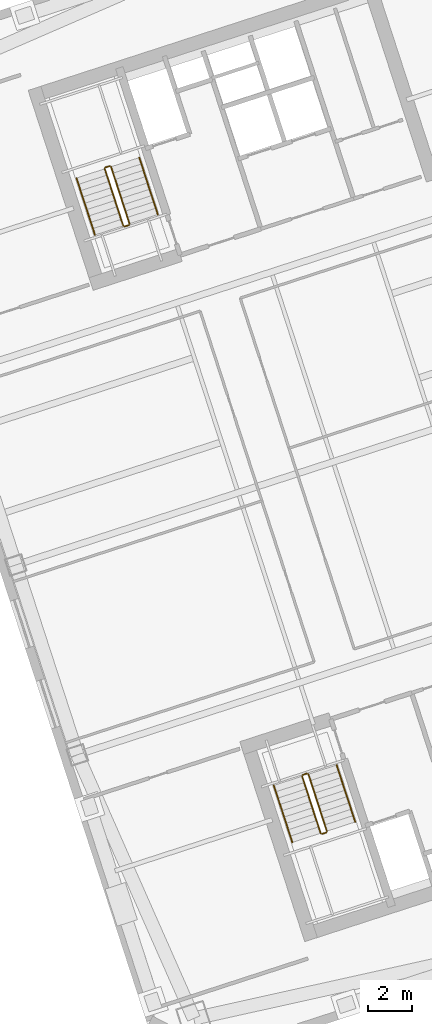
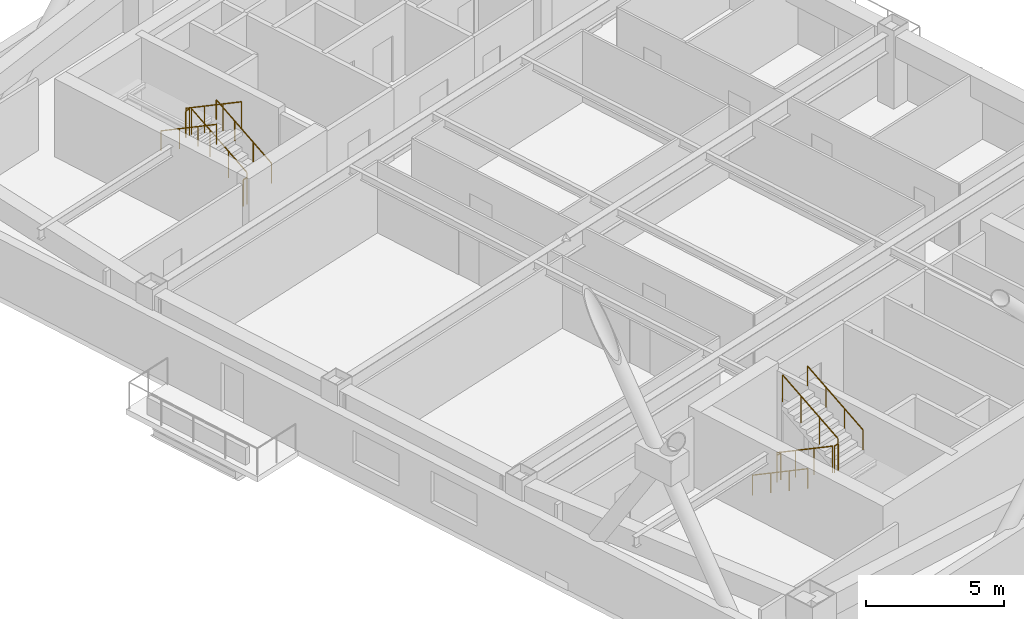
# One storey, part 16 of 17: 12 railings.
"""IFC4 building model written with IfcOpenShell, lengths in metres."""

from ifc_helpers import new_model, si_unit, direction, frame, origin, origin_2d, place, context, subcontext, project, spatial, circle, extrude, material, type_object, element, save


model = new_model("IFC4")

# Units and contexts
model_context = context("Model", 3, precision=1e-05, world=origin(), true_north=direction((0.0, 1.0)))
body_context = subcontext(model_context, "Body", "Model", "MODEL_VIEW")
ifc_project = project(units=[si_unit("LENGTHUNIT", "METRE"), si_unit("AREAUNIT", "SQUARE_METRE"), si_unit("VOLUMEUNIT", "CUBIC_METRE"), si_unit("PLANEANGLEUNIT", "RADIAN"), si_unit("MASSUNIT", "GRAM", prefix="KILO")], contexts=[model_context])

# Site, building, storey
site_placement = place(None, origin())
site = spatial("IfcSite", under=ifc_project, at=site_placement, CompositionType="ELEMENT")
building_placement = place(site_placement, origin())
building = spatial("IfcBuilding", under=site, at=building_placement, Name="Qiaolan Cultural Towers", CompositionType="ELEMENT")
storey_placement = place(building_placement, frame((0.0, 0.0, 134.550048828125)))
storey = spatial("IfcBuildingStorey", under=building, at=storey_placement, Name="L35", CompositionType="ELEMENT", Elevation=134.550048828125)

# Railings
ifc_material_1 = material(Name="Galvanized Painted Steel Stair Guardrail", Category="steel")
railing_type_1 = type_object("IfcRailingType", Name="RL-STAIR-GRD", PredefinedType="GUARDRAIL", material=ifc_material_1)
railing_1_placement = place(storey_placement, frame((88.60205078125, 19.82421875, 0.17236328125)))
element("IfcRailing", 1, at=railing_1_placement, inside=storey, type_object=railing_type_1, Name="L35 ST-E1 stair guard 1", PredefinedType="GUARDRAIL", context=body_context, shape_type="SweptSolid", body=[
    extrude(circle(Radius=0.02392578125, at=origin_2d()), frame((0.0, 0.0, 1.17578125), z_axis=(0.267925668498, -0.824471088726, 0.498460891159), x_axis=(0.951043371037, 0.309057448393, 0.0)), (0.0, 0.0, 1.0), 3.114501953125),
    extrude(circle(Radius=0.02099609375, at=origin_2d()), origin(), (0.0, 0.0, 1.0), 1.15185546875),
    extrude(circle(Radius=0.02099609375, at=origin_2d()), frame((0.278076171875, -0.85595703125, 0.517578125)), (0.0, 0.0, 1.0), 1.15185546875),
    extrude(circle(Radius=0.02099609375, at=origin_2d()), frame((0.556396484375, -1.7119140625, 1.034912109375)), (0.0, 0.0, 1.0), 1.15185546875),
    extrude(circle(Radius=0.02099609375, at=origin_2d()), frame((0.83447265625, -2.56787109375, 1.552490234375)), (0.0, 0.0, 1.0), 1.15185546875),
])
railing_2_placement = place(storey_placement, frame((89.49951171875, 17.224365234375, 1.724853515625)))
element("IfcRailing", 2, at=railing_2_placement, inside=storey, type_object=railing_type_1, Name="L35 ST-E1 stair guard 2", PredefinedType="GUARDRAIL", context=body_context, shape_type="SweptSolid", body=[
    extrude(circle(Radius=0.02392578125, at=origin_2d()), frame((0.0, 0.0, 1.17578125), z_axis=(0.951096855055, 0.308892816854, 0.0), x_axis=(-0.308892816854, 0.951096855055, 0.0)), (0.0, 0.0, 1.0), 0.199951171875),
    extrude(circle(Radius=0.02099609375, at=origin_2d()), origin(), (0.0, 0.0, 1.0), 1.15185546875),
    extrude(circle(Radius=0.02099609375, at=origin_2d()), frame((0.190185546875, 0.061767578125, 0.0)), (0.0, 0.0, 1.0), 1.15185546875),
])
railing_3_placement = place(storey_placement, frame((89.721923828125, 17.34912109375, 1.8974609375)))
element("IfcRailing", 3, at=railing_3_placement, inside=storey, type_object=railing_type_1, Name="L35 ST-E1 stair guard 3", PredefinedType="GUARDRAIL", context=body_context, shape_type="SweptSolid", body=[
    extrude(circle(Radius=0.02392578125, at=origin_2d()), frame((0.0, 0.0, 1.17578125), z_axis=(-0.267925668498, 0.824471088726, 0.498460891159), x_axis=(-0.951043371037, -0.309057448393, 0.0)), (0.0, 0.0, 1.0), 3.114501953125),
    extrude(circle(Radius=0.02099609375, at=origin_2d()), origin(), (0.0, 0.0, 1.0), 1.15185546875),
    extrude(circle(Radius=0.02099609375, at=origin_2d()), frame((-0.278076171875, 0.85595703125, 0.517578125)), (0.0, 0.0, 1.0), 1.15185546875),
    extrude(circle(Radius=0.02099609375, at=origin_2d()), frame((-0.556396484375, 1.7119140625, 1.034912109375)), (0.0, 0.0, 1.0), 1.15185546875),
    extrude(circle(Radius=0.02099609375, at=origin_2d()), frame((-0.83447265625, 2.56787109375, 1.552490234375)), (0.0, 0.0, 1.0), 1.15185546875),
])
railing_4_placement = place(storey_placement, frame((88.63427734375, 19.88720703125, 0.0)))
element("IfcRailing", 4, at=railing_4_placement, inside=storey, type_object=railing_type_1, Name="L35 ST-E1 stair guard 4", PredefinedType="GUARDRAIL", context=body_context, shape_type="SweptSolid", body=[
    extrude(circle(Radius=0.02392578125, at=origin_2d()), frame((0.0, 0.0, 1.17578125), z_axis=(0.951096855055, 0.308892816854, 0.0), x_axis=(-0.308892816854, 0.951096855055, 0.0)), (0.0, 0.0, 1.0), 0.199951171875),
    extrude(circle(Radius=0.02099609375, at=origin_2d()), origin(), (0.0, 0.0, 1.0), 1.15185546875),
    extrude(circle(Radius=0.02099609375, at=origin_2d()), frame((0.190185546875, 0.061767578125, 0.0)), (0.0, 0.0, 1.0), 1.15185546875),
])
railing_5_placement = place(storey_placement, frame((80.822021484375, 44.739501953125, 0.17236328125)))
element("IfcRailing", 5, at=railing_5_placement, inside=storey, type_object=railing_type_1, Name="L35 ST-E2 stair guard 1", PredefinedType="GUARDRAIL", context=body_context, shape_type="SweptSolid", body=[
    extrude(circle(Radius=0.02392578125, at=origin_2d()), frame((0.0, 0.0, 1.17578125), z_axis=(-0.26785290645, 0.824488402118, 0.498471358535), x_axis=(-0.951069945308, -0.308975661068, 0.0)), (0.0, 0.0, 1.0), 3.114501953125),
    extrude(circle(Radius=0.02099609375, at=origin_2d()), origin(), (0.0, 0.0, 1.0), 1.15185546875),
    extrude(circle(Radius=0.02099609375, at=origin_2d()), frame((-0.278076171875, 0.85595703125, 0.517578125)), (0.0, 0.0, 1.0), 1.15185546875),
    extrude(circle(Radius=0.02099609375, at=origin_2d()), frame((-0.55615234375, 1.7119140625, 1.034912109375)), (0.0, 0.0, 1.0), 1.15185546875),
    extrude(circle(Radius=0.02099609375, at=origin_2d()), frame((-0.834228515625, 2.56787109375, 1.552490234375)), (0.0, 0.0, 1.0), 1.15185546875),
])
railing_6_placement = place(storey_placement, frame((79.9248046875, 47.33935546875, 1.724853515625)))
element("IfcRailing", 6, at=railing_6_placement, inside=storey, type_object=railing_type_1, Name="L35 ST-E2 stair guard 2", PredefinedType="GUARDRAIL", context=body_context, shape_type="SweptSolid", body=[
    extrude(circle(Radius=0.02392578125, at=origin_2d()), frame((0.0, 0.0, 1.17578125), z_axis=(-0.951096855055, -0.308892816854, 0.0), x_axis=(0.308892816854, -0.951096855055, 0.0)), (0.0, 0.0, 1.0), 0.199951171875),
    extrude(circle(Radius=0.02099609375, at=origin_2d()), origin(), (0.0, 0.0, 1.0), 1.15185546875),
    extrude(circle(Radius=0.02099609375, at=origin_2d()), frame((-0.190185546875, -0.061767578125, 0.0)), (0.0, 0.0, 1.0), 1.15185546875),
])
railing_7_placement = place(storey_placement, frame((79.702392578125, 47.214599609375, 1.8974609375)))
element("IfcRailing", 7, at=railing_7_placement, inside=storey, type_object=railing_type_1, Name="L35 ST-E2 stair guard 3", PredefinedType="GUARDRAIL", context=body_context, shape_type="SweptSolid", body=[
    extrude(circle(Radius=0.02392578125, at=origin_2d()), frame((0.0, 0.0, 1.17578125), z_axis=(0.267925668498, -0.824471088726, 0.498460891159), x_axis=(0.951043371037, 0.309057448393, 0.0)), (0.0, 0.0, 1.0), 3.114501953125),
    extrude(circle(Radius=0.02099609375, at=origin_2d()), origin(), (0.0, 0.0, 1.0), 1.15185546875),
    extrude(circle(Radius=0.02099609375, at=origin_2d()), frame((0.278076171875, -0.85595703125, 0.517578125)), (0.0, 0.0, 1.0), 1.15185546875),
    extrude(circle(Radius=0.02099609375, at=origin_2d()), frame((0.556396484375, -1.7119140625, 1.034912109375)), (0.0, 0.0, 1.0), 1.15185546875),
    extrude(circle(Radius=0.02099609375, at=origin_2d()), frame((0.83447265625, -2.56787109375, 1.552490234375)), (0.0, 0.0, 1.0), 1.15185546875),
])
railing_8_placement = place(storey_placement, frame((80.7900390625, 44.676513671875, 0.0)))
element("IfcRailing", 8, at=railing_8_placement, inside=storey, type_object=railing_type_1, Name="L35 ST-E2 stair guard 4", PredefinedType="GUARDRAIL", context=body_context, shape_type="SweptSolid", body=[
    extrude(circle(Radius=0.02392578125, at=origin_2d()), frame((0.0, 0.0, 1.17578125), z_axis=(-0.951096855055, -0.308892816854, 0.0), x_axis=(0.308892816854, -0.951096855055, 0.0)), (0.0, 0.0, 1.0), 0.199951171875),
    extrude(circle(Radius=0.02099609375, at=origin_2d()), origin(), (0.0, 0.0, 1.0), 1.15185546875),
    extrude(circle(Radius=0.02099609375, at=origin_2d()), frame((-0.190185546875, -0.061767578125, 0.0)), (0.0, 0.0, 1.0), 1.15185546875),
])
ifc_material_2 = material(Name="Stainless Steel S30408 Tubular Handrail", Category="steel")
railing_type_2 = type_object("IfcRailingType", Name="RL-STAIR-HR", PredefinedType="HANDRAIL", material=ifc_material_2)
railing_9_placement = place(storey_placement, frame((87.32763671875, 19.41015625, 0.17236328125)))
element("IfcRailing", 9, at=railing_9_placement, inside=storey, type_object=railing_type_2, Name="L35 ST-E1 stair handrail 1", PredefinedType="HANDRAIL", context=body_context, shape_type="SweptSolid", body=[
    extrude(circle(Radius=0.02392578125, at=origin_2d()), frame((0.0, 0.0, 0.8759765625), z_axis=(0.267925668498, -0.824471088726, 0.498460891159), x_axis=(0.951043371037, 0.309057448393, 0.0)), (0.0, 0.0, 1.0), 3.114501953125),
    extrude(circle(Radius=0.02099609375, at=origin_2d()), origin(), (0.0, 0.0, 1.0), 0.851806640625),
    extrude(circle(Radius=0.02099609375, at=origin_2d()), frame((0.278076171875, -0.85595703125, 0.517578125)), (0.0, 0.0, 1.0), 0.851806640625),
    extrude(circle(Radius=0.02099609375, at=origin_2d()), frame((0.556396484375, -1.7119140625, 1.034912109375)), (0.0, 0.0, 1.0), 0.851806640625),
    extrude(circle(Radius=0.02099609375, at=origin_2d()), frame((0.83447265625, -2.56787109375, 1.552490234375)), (0.0, 0.0, 1.0), 0.851806640625),
])
railing_10_placement = place(storey_placement, frame((90.996337890625, 17.76318359375, 1.8974609375)))
element("IfcRailing", 10, at=railing_10_placement, inside=storey, type_object=railing_type_2, Name="L35 ST-E1 stair handrail 2", PredefinedType="HANDRAIL", context=body_context, shape_type="SweptSolid", body=[
    extrude(circle(Radius=0.02392578125, at=origin_2d()), frame((0.0, 0.0, 0.8759765625), z_axis=(-0.267925668498, 0.824471088726, 0.498460891159), x_axis=(-0.951043371037, -0.309057448393, 0.0)), (0.0, 0.0, 1.0), 3.114501953125),
    extrude(circle(Radius=0.02099609375, at=origin_2d()), origin(), (0.0, 0.0, 1.0), 0.851806640625),
    extrude(circle(Radius=0.02099609375, at=origin_2d()), frame((-0.278076171875, 0.85595703125, 0.517578125)), (0.0, 0.0, 1.0), 0.851806640625),
    extrude(circle(Radius=0.02099609375, at=origin_2d()), frame((-0.556396484375, 1.7119140625, 1.034912109375)), (0.0, 0.0, 1.0), 0.851806640625),
    extrude(circle(Radius=0.02099609375, at=origin_2d()), frame((-0.83447265625, 2.56787109375, 1.552490234375)), (0.0, 0.0, 1.0), 0.851806640625),
])
railing_11_placement = place(storey_placement, frame((82.096435546875, 45.153564453125, 0.17236328125)))
element("IfcRailing", 11, at=railing_11_placement, inside=storey, type_object=railing_type_2, Name="L35 ST-E2 stair handrail 1", PredefinedType="HANDRAIL", context=body_context, shape_type="SweptSolid", body=[
    extrude(circle(Radius=0.02392578125, at=origin_2d()), frame((0.0, 0.0, 0.8759765625), z_axis=(-0.26785290645, 0.824488402118, 0.498471358535), x_axis=(-0.951069945308, -0.308975661068, 0.0)), (0.0, 0.0, 1.0), 3.114501953125),
    extrude(circle(Radius=0.02099609375, at=origin_2d()), origin(), (0.0, 0.0, 1.0), 0.851806640625),
    extrude(circle(Radius=0.02099609375, at=origin_2d()), frame((-0.278076171875, 0.85595703125, 0.517578125)), (0.0, 0.0, 1.0), 0.851806640625),
    extrude(circle(Radius=0.02099609375, at=origin_2d()), frame((-0.55615234375, 1.7119140625, 1.034912109375)), (0.0, 0.0, 1.0), 0.851806640625),
    extrude(circle(Radius=0.02099609375, at=origin_2d()), frame((-0.834228515625, 2.56787109375, 1.552490234375)), (0.0, 0.0, 1.0), 0.851806640625),
])
railing_12_placement = place(storey_placement, frame((78.427978515625, 46.800537109375, 1.8974609375)))
element("IfcRailing", 12, at=railing_12_placement, inside=storey, type_object=railing_type_2, Name="L35 ST-E2 stair handrail 2", PredefinedType="HANDRAIL", context=body_context, shape_type="SweptSolid", body=[
    extrude(circle(Radius=0.02392578125, at=origin_2d()), frame((0.0, 0.0, 0.8759765625), z_axis=(0.267925668498, -0.824471088726, 0.498460891159), x_axis=(0.951043371037, 0.309057448393, 0.0)), (0.0, 0.0, 1.0), 3.114501953125),
    extrude(circle(Radius=0.02099609375, at=origin_2d()), origin(), (0.0, 0.0, 1.0), 0.851806640625),
    extrude(circle(Radius=0.02099609375, at=origin_2d()), frame((0.278076171875, -0.85595703125, 0.517578125)), (0.0, 0.0, 1.0), 0.851806640625),
    extrude(circle(Radius=0.02099609375, at=origin_2d()), frame((0.556396484375, -1.7119140625, 1.034912109375)), (0.0, 0.0, 1.0), 0.851806640625),
    extrude(circle(Radius=0.02099609375, at=origin_2d()), frame((0.83447265625, -2.56787109375, 1.552490234375)), (0.0, 0.0, 1.0), 0.851806640625),
])

save(model, "model.ifc")
